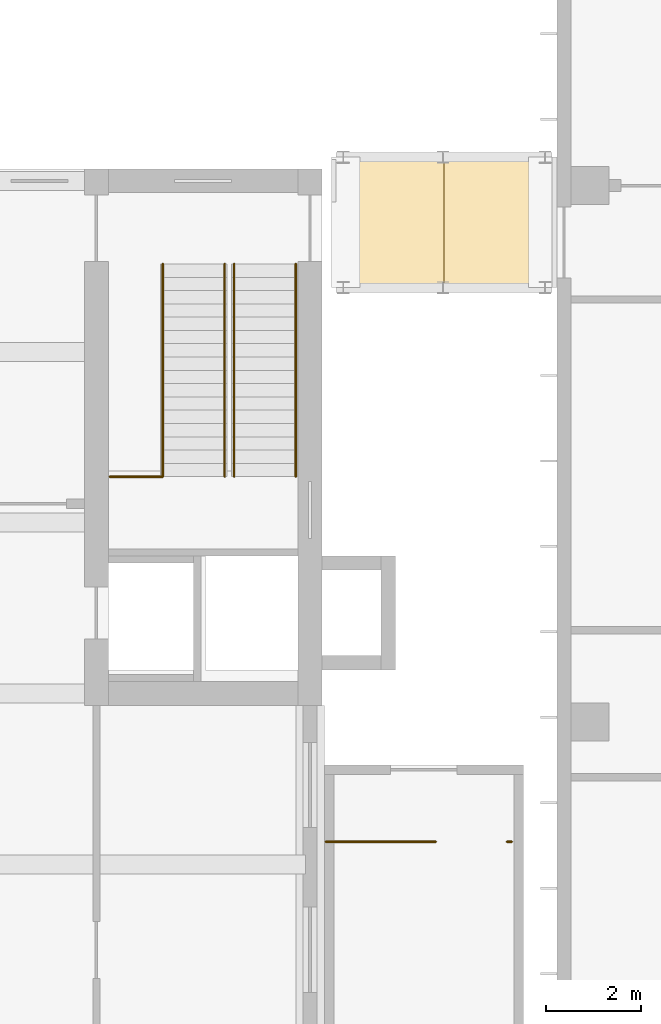
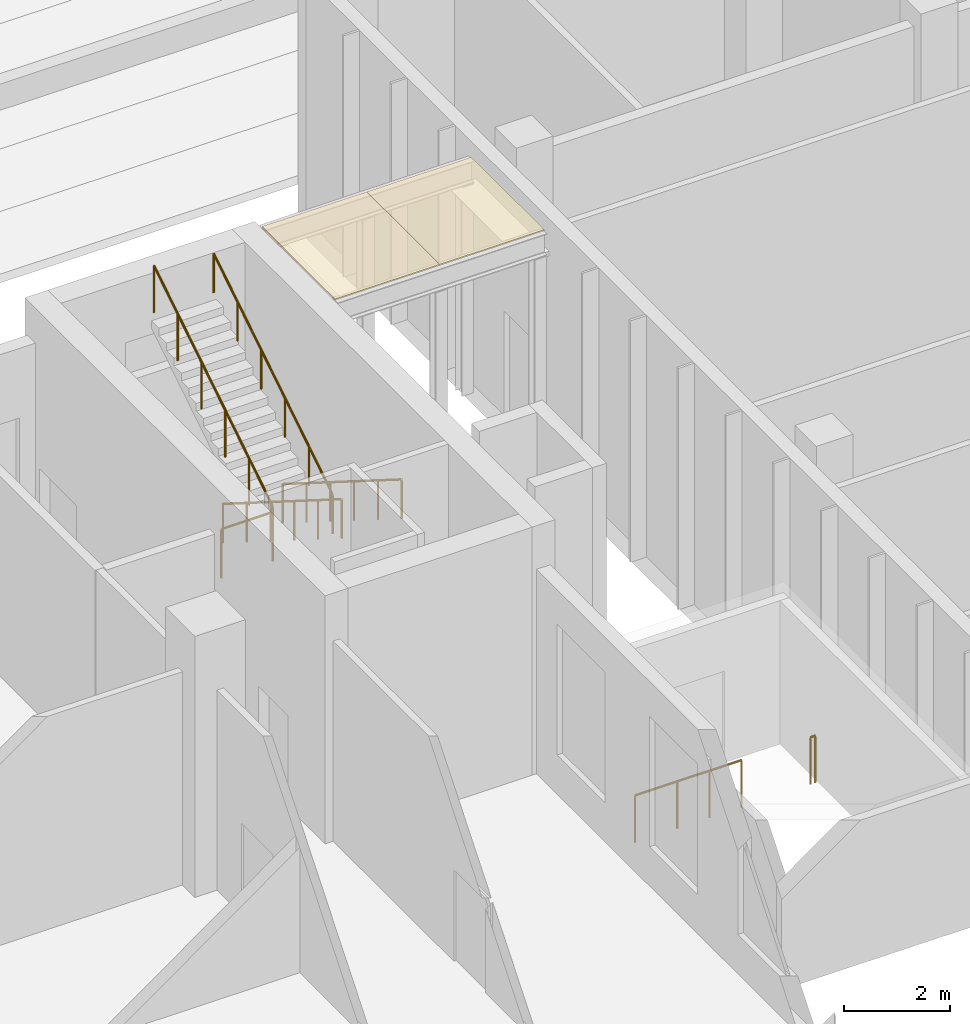
# One storey, part 69 of 71: 8 railings, 2 coverings.
"""IFC4 building model written with IfcOpenShell, lengths in metres."""

from ifc_helpers import new_model, si_unit, direction, frame, origin, origin_2d, place, context, subcontext, project, spatial, polyline, circle, outline, extrude, material, layer, layer_set, type_object, element, save


model = new_model("IFC4")

# Units and contexts
model_context = context("Model", 3, precision=1e-05, world=origin(), true_north=direction((0.0, 1.0)))
body_context = subcontext(model_context, "Body", "Model", "MODEL_VIEW")
ifc_project = project(units=[si_unit("LENGTHUNIT", "METRE"), si_unit("AREAUNIT", "SQUARE_METRE"), si_unit("VOLUMEUNIT", "CUBIC_METRE"), si_unit("PLANEANGLEUNIT", "RADIAN"), si_unit("MASSUNIT", "GRAM", prefix="KILO")], contexts=[model_context])

# Site, building, storey
site_placement = place(None, origin())
site = spatial("IfcSite", under=ifc_project, at=site_placement, CompositionType="ELEMENT")
building_placement = place(site_placement, origin())
building = spatial("IfcBuilding", under=site, at=building_placement, Name="Basin Gate Institute", CompositionType="ELEMENT")
storey_placement = place(building_placement, origin())
storey = spatial("IfcBuildingStorey", under=building, at=storey_placement, Name="L00", CompositionType="ELEMENT", Elevation=0.0)

# Coverings
ifc_material_1 = material(Name="Laminated toughened glass", Category="glass")
ifc_layer = layer(ifc_material_1, 0.030029296875)
ifc_layer_set = layer_set([ifc_layer], Name="Canopy glazing panel PN91")
covering_type = type_object("IfcCoveringType", Name="Canopy glazing panel PN91", PredefinedType="ROOFING", material=ifc_layer_set)
for number, where, z_axis, x_axis, name in (
    (1, (119.35009765625, 97.64990234375, 5.330078125), (0.0, 0.0, 1.0), (1.0, 0.0, 0.0), "East court passage glazing panel 1"),
    (2, (121.625, 97.64990234375, 5.330078125), (0.0, 0.0, 1.0), (1.0, 0.0, 0.0), "East court passage glazing panel 2"),
):
    element("IfcCovering", number, at=place(storey_placement, frame(where, z_axis=z_axis, x_axis=x_axis)), inside=storey, type_object=covering_type, material=ifc_layer_set, Name=name, PredefinedType="ROOFING", context=body_context, shape_type="SweptSolid", body=[
        extrude(outline(polyline([(0.0, 0.0), (2.27490234375, 0.0), (2.27490234375, 2.75), (0.0, 2.75), (0.0, 0.0)])), origin(), (0.0, 0.0, -1.0), 0.030029296875),
    ])

# Railings
ifc_material_2 = material(Name="Stainless steel", Category="steel")
railing_type_1 = type_object("IfcRailingType", Name="Stair guard GR1", PredefinedType="GUARDRAIL", material=ifc_material_2)
railing_1_placement = place(storey_placement, frame((115.699951171875, 93.669921875, 3.176513671875)))
element("IfcRailing", 3, at=railing_1_placement, inside=storey, type_object=railing_type_1, material=ifc_material_2, Name="Stair guard GR1 EN GD1", PredefinedType="GUARDRAIL", context=body_context, shape_type="SweptSolid", body=[
    extrude(circle(Radius=0.02392578125, at=origin_2d()), frame((0.0, 0.0, 1.076171875), z_axis=(0.0, 0.845997938375, 0.533186166611), x_axis=(-1.0, 0.0, 0.0)), (0.0, 0.0, 1.0), 5.29541015625),
    extrude(circle(Radius=0.02099609375, at=origin_2d()), origin(), (0.0, 0.0, 1.0), 1.052001953125),
    extrude(circle(Radius=0.02099609375, at=origin_2d()), frame((0.0, 0.89599609375, 0.564697265625)), (0.0, 0.0, 1.0), 1.052001953125),
    extrude(circle(Radius=0.02099609375, at=origin_2d()), frame((0.0, 1.7919921875, 1.12939453125)), (0.0, 0.0, 1.0), 1.052001953125),
    extrude(circle(Radius=0.02099609375, at=origin_2d()), frame((0.0, 2.68798828125, 1.694091796875)), (0.0, 0.0, 1.0), 1.052001953125),
    extrude(circle(Radius=0.02099609375, at=origin_2d()), frame((0.0, 3.583984375, 2.2587890625)), (0.0, 0.0, 1.0), 1.052001953125),
    extrude(circle(Radius=0.02099609375, at=origin_2d()), frame((0.0, 4.47998046875, 2.823486328125)), (0.0, 0.0, 1.0), 1.052001953125),
])
railing_2_placement = place(storey_placement, frame((120.050048828125, 85.97998046875, 0.0)))
element("IfcRailing", 4, at=railing_2_placement, inside=storey, type_object=railing_type_1, material=ifc_material_2, Name="Stair guard GR1 BS4 GD4-B1", PredefinedType="GUARDRAIL", context=body_context, shape_type="SweptSolid", body=[
    extrude(circle(Radius=0.02392578125, at=origin_2d()), frame((0.0, 0.0, 1.076171875), z_axis=(1.0, 0.0, 0.0), x_axis=(0.0, 1.0, 0.0)), (0.0, 0.0, 1.0), 1.39990234375),
    extrude(circle(Radius=0.02099609375, at=origin_2d()), origin(), (0.0, 0.0, 1.0), 1.052001953125),
    extrude(circle(Radius=0.02099609375, at=origin_2d()), frame((0.699951171875, 0.0, 0.0)), (0.0, 0.0, 1.0), 1.052001953125),
    extrude(circle(Radius=0.02099609375, at=origin_2d()), frame((1.39990234375, 0.0, 0.0)), (0.0, 0.0, 1.0), 1.052001953125),
])
railing_3_placement = place(storey_placement, frame((119.1298828125, 85.97998046875, 0.0)))
element("IfcRailing", 5, at=railing_3_placement, inside=storey, type_object=railing_type_1, material=ifc_material_2, Name="Stair guard GR1 BS4 GD4b-B1", PredefinedType="GUARDRAIL", context=body_context, shape_type="SweptSolid", body=[
    extrude(circle(Radius=0.02392578125, at=origin_2d()), frame((0.0, 0.0, 1.076171875), z_axis=(1.0, 0.0, 0.0), x_axis=(0.0, 1.0, 0.0)), (0.0, 0.0, 1.0), 0.920166015625),
    extrude(circle(Radius=0.02099609375, at=origin_2d()), origin(), (0.0, 0.0, 1.0), 1.052001953125),
    extrude(circle(Radius=0.02099609375, at=origin_2d()), frame((0.920166015625, 0.0, 0.0)), (0.0, 0.0, 1.0), 1.052001953125),
])
railing_4_placement = place(storey_placement, frame((122.949951171875, 85.97998046875, 0.0)))
element("IfcRailing", 6, at=railing_4_placement, inside=storey, type_object=railing_type_1, material=ifc_material_2, Name="Stair guard GR1 BS4 GD5-B1", PredefinedType="GUARDRAIL", context=body_context, shape_type="SweptSolid", body=[
    extrude(circle(Radius=0.02392578125, at=origin_2d()), frame((0.0, 0.0, 1.076171875), z_axis=(1.0, 0.0, 0.0), x_axis=(0.0, 1.0, 0.0)), (0.0, 0.0, 1.0), 0.10009765625),
    extrude(circle(Radius=0.02099609375, at=origin_2d()), origin(), (0.0, 0.0, 1.0), 1.052001953125),
    extrude(circle(Radius=0.02099609375, at=origin_2d()), frame((0.10009765625, 0.0, 0.0)), (0.0, 0.0, 1.0), 1.052001953125),
])
ifc_material_3 = material(Name="Stainless steel", Category="steel")
railing_type_2 = type_object("IfcRailingType", Name="Stair guard GR3", PredefinedType="GUARDRAIL", material=ifc_material_3)
railing_5_placement = place(storey_placement, frame((115.699951171875, 93.669921875, 3.0)))
element("IfcRailing", 7, at=railing_5_placement, inside=storey, type_object=railing_type_2, material=ifc_material_3, Name="Stair guard GR3 EN GD2", PredefinedType="GUARDRAIL", context=body_context, shape_type="SweptSolid", body=[
    extrude(circle(Radius=0.02392578125, at=origin_2d()), frame((0.0, 0.0, 1.1259765625), z_axis=(-1.0, 0.0, 0.0), x_axis=(0.0, -1.0, 0.0)), (0.0, 0.0, 1.0), 1.119873046875),
    extrude(circle(Radius=0.02099609375, at=origin_2d()), origin(), (0.0, 0.0, 1.0), 1.101806640625),
    extrude(circle(Radius=0.02099609375, at=origin_2d()), frame((-1.119873046875, 0.0, 0.0)), (0.0, 0.0, 1.0), 1.101806640625),
])
ifc_material_4 = material(Name="Stainless steel", Category="steel")
railing_type_3 = type_object("IfcRailingType", Name="Stair handrail HR1", PredefinedType="HANDRAIL", material=ifc_material_4)
for number, where, name in (
    (8, (118.5, 98.14990234375, 0.176513671875), "Stair handrail HR1 EN HR1"),
    (9, (117.199951171875, 98.14990234375, 0.176513671875), "Stair handrail HR1 EN HR2"),
):
    element("IfcRailing", number, at=place(storey_placement, frame(where)), inside=storey, type_object=railing_type_3, material=ifc_material_4, Name=name, PredefinedType="HANDRAIL", context=body_context, shape_type="SweptSolid", body=[
        extrude(circle(Radius=0.02392578125, at=origin_2d()), frame((0.0, 0.0, 0.89599609375), z_axis=(0.0, -0.845997938375, 0.533186166611), x_axis=(1.0, 0.0, 0.0)), (0.0, 0.0, 1.0), 5.29541015625),
        extrude(circle(Radius=0.02099609375, at=origin_2d()), origin(), (0.0, 0.0, 1.0), 0.871826171875),
        extrude(circle(Radius=0.02099609375, at=origin_2d()), frame((0.0, -0.89599609375, 0.564697265625)), (0.0, 0.0, 1.0), 0.871826171875),
        extrude(circle(Radius=0.02099609375, at=origin_2d()), frame((0.0, -1.7919921875, 1.12939453125)), (0.0, 0.0, 1.0), 0.871826171875),
        extrude(circle(Radius=0.02099609375, at=origin_2d()), frame((0.0, -2.68798828125, 1.694091796875)), (0.0, 0.0, 1.0), 0.871826171875),
        extrude(circle(Radius=0.02099609375, at=origin_2d()), frame((0.0, -3.583984375, 2.2587890625)), (0.0, 0.0, 1.0), 0.871826171875),
        extrude(circle(Radius=0.02099609375, at=origin_2d()), frame((0.0, -4.47998046875, 2.823486328125)), (0.0, 0.0, 1.0), 0.871826171875),
    ])
railing_6_placement = place(storey_placement, frame((117.0, 93.669921875, 3.176513671875)))
element("IfcRailing", 10, at=railing_6_placement, inside=storey, type_object=railing_type_3, material=ifc_material_4, Name="Stair handrail HR1 EN HR3", PredefinedType="HANDRAIL", context=body_context, shape_type="SweptSolid", body=[
    extrude(circle(Radius=0.02392578125, at=origin_2d()), frame((0.0, 0.0, 0.89599609375), z_axis=(0.0, 0.845997938375, 0.533186166611), x_axis=(-1.0, 0.0, 0.0)), (0.0, 0.0, 1.0), 5.29541015625),
    extrude(circle(Radius=0.02099609375, at=origin_2d()), origin(), (0.0, 0.0, 1.0), 0.871826171875),
    extrude(circle(Radius=0.02099609375, at=origin_2d()), frame((0.0, 0.89599609375, 0.564697265625)), (0.0, 0.0, 1.0), 0.871826171875),
    extrude(circle(Radius=0.02099609375, at=origin_2d()), frame((0.0, 1.7919921875, 1.12939453125)), (0.0, 0.0, 1.0), 0.871826171875),
    extrude(circle(Radius=0.02099609375, at=origin_2d()), frame((0.0, 2.68798828125, 1.694091796875)), (0.0, 0.0, 1.0), 0.871826171875),
    extrude(circle(Radius=0.02099609375, at=origin_2d()), frame((0.0, 3.583984375, 2.2587890625)), (0.0, 0.0, 1.0), 0.871826171875),
    extrude(circle(Radius=0.02099609375, at=origin_2d()), frame((0.0, 4.47998046875, 2.823486328125)), (0.0, 0.0, 1.0), 0.871826171875),
])

save(model, "model.ifc")
